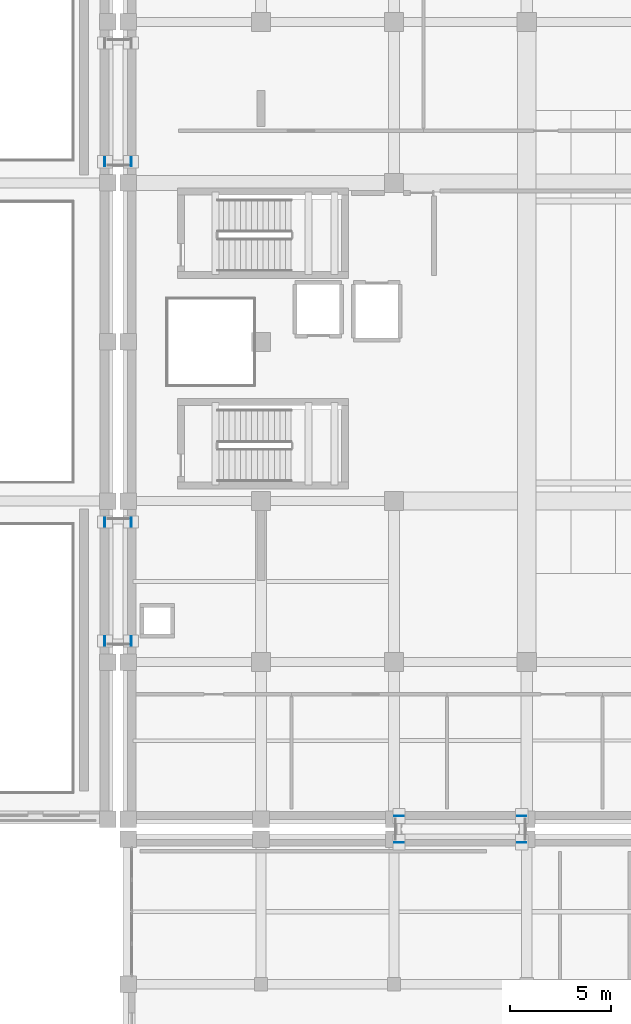
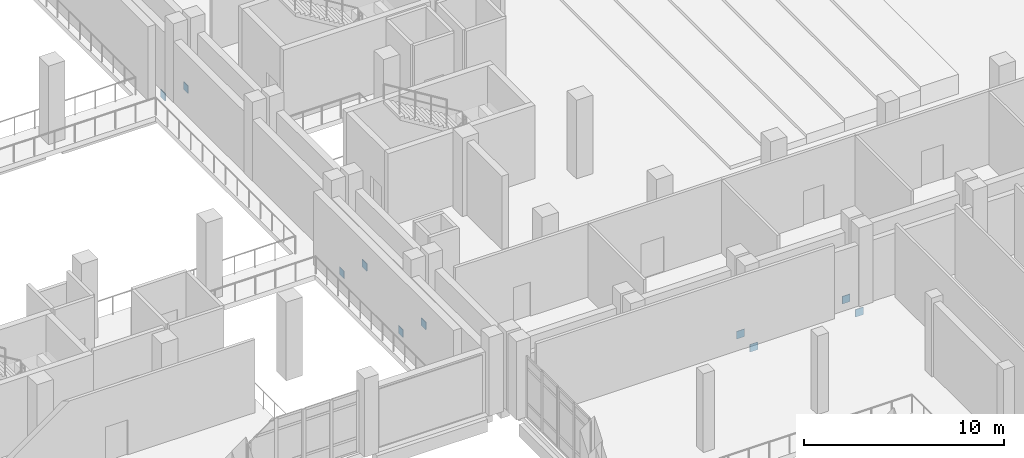
# One storey, part 76 of 90: 10 discrete accessories.
"""IFC4 building model written with IfcOpenShell, lengths in metres."""

from ifc_helpers import new_model, si_unit, direction, frame, origin, origin_2d, place, context, subcontext, project, spatial, rectangle, extrude, material, material_profile, profile_set, type_object, element, save


model = new_model("IFC4")

# Units and contexts
model_context = context("Model", 3, precision=1e-05, world=origin(), true_north=direction((0.0, 1.0)))
body_context = subcontext(model_context, "Body", "Model", "MODEL_VIEW")
ifc_project = project(units=[si_unit("LENGTHUNIT", "METRE"), si_unit("AREAUNIT", "SQUARE_METRE"), si_unit("VOLUMEUNIT", "CUBIC_METRE"), si_unit("PLANEANGLEUNIT", "RADIAN"), si_unit("MASSUNIT", "GRAM", prefix="KILO")], contexts=[model_context])

# Site, building, storey
site_placement = place(None, origin())
site = spatial("IfcSite", under=ifc_project, at=site_placement, CompositionType="ELEMENT")
building_placement = place(site_placement, origin())
building = spatial("IfcBuilding", under=site, at=building_placement, Name="Kelarvand Opera House", CompositionType="ELEMENT")
storey_placement = place(building_placement, frame((0.0, 0.0, 5.39990234375)))
storey = spatial("IfcBuildingStorey", under=building, at=storey_placement, Name="L01", CompositionType="ELEMENT", Elevation=5.39990234375)

# Discrete accessories
ifc_material = material(Name="Steel S355", Category="steel")
ifc_material_profile = material_profile(ifc_material, rectangle(XDim=0.4599609375, YDim=0.4599609375, at=origin_2d()), Name="Welded Steel Hollow End-Cap Plate 460x460x24", Category="steel")
ifc_profile_set = profile_set([ifc_material_profile], Name="Steel S355")
discrete_accessory_type = type_object("IfcDiscreteAccessoryType", Name="Welded Steel Hollow End-Cap Plate 460x460x24", PredefinedType="SHOE", material=ifc_profile_set)
for number, where, z_axis, x_axis, name in (
    (1, (87.85791015625, 71.449951171875, -0.52001953125), (-1.0, 0.0, 0.0), (0.0, -1.0, 0.0), "Hollow Section Welded End Cap 37"),
    (2, (89.14208984375, 71.449951171875, -0.52001953125), (1.0, 0.0, 0.0), (0.0, 1.0, 0.0), "Hollow Section Welded End Cap 38"),
    (3, (87.85791015625, 47.64990234375, -0.52001953125), (-1.0, 0.0, 0.0), (0.0, -1.0, 0.0), "Hollow Section Welded End Cap 61"),
    (4, (89.14208984375, 47.64990234375, -0.52001953125), (1.0, 0.0, 0.0), (0.0, 1.0, 0.0), "Hollow Section Welded End Cap 62"),
    (5, (87.85791015625, 53.550048828125, -0.52001953125), (-1.0, 0.0, 0.0), (0.0, -1.0, 0.0), "Hollow Section Welded End Cap 63"),
    (6, (89.14208984375, 53.550048828125, -0.52001953125), (1.0, 0.0, 0.0), (0.0, 1.0, 0.0), "Hollow Section Welded End Cap 64"),
    (7, (102.449951171875, 37.657958984375, -0.52001953125), (0.0, -1.0, 0.0), (1.0, 0.0, 0.0), "Hollow Section Welded End Cap 97"),
):
    element("IfcDiscreteAccessory", number, at=place(storey_placement, frame(where, z_axis=z_axis, x_axis=x_axis)), inside=storey, type_object=discrete_accessory_type, Name=name, PredefinedType="SHOE", context=body_context, shape_type="SweptSolid", body=[
        extrude(rectangle(XDim=0.4599609375, YDim=0.4599609375, at=origin_2d()), origin(), (0.0, 0.0, 1.0), 0.035888671875),
    ])
discrete_accessory_1_placement = place(storey_placement, frame((102.449951171875, 38.94189453125, -0.52001953125), z_axis=(0.0, 1.0, 0.0), x_axis=(-1.0, 0.0, 0.0)))
element("IfcDiscreteAccessory", 8, at=discrete_accessory_1_placement, inside=storey, type_object=discrete_accessory_type, Name="Hollow Section Welded End Cap 98", PredefinedType="SHOE", context=body_context, shape_type="SweptSolid", body=[
    extrude(rectangle(XDim=0.4599609375, YDim=0.4599609375, at=origin_2d()), origin(), (0.0, 0.0, 1.0), 0.0361328125),
])
discrete_accessory_2_placement = place(storey_placement, frame((108.550048828125, 37.657958984375, -0.52001953125), z_axis=(0.0, -1.0, 0.0), x_axis=(1.0, 0.0, 0.0)))
element("IfcDiscreteAccessory", 9, at=discrete_accessory_2_placement, inside=storey, type_object=discrete_accessory_type, Name="Hollow Section Welded End Cap 99", PredefinedType="SHOE", context=body_context, shape_type="SweptSolid", body=[
    extrude(rectangle(XDim=0.4599609375, YDim=0.4599609375, at=origin_2d()), origin(), (0.0, 0.0, 1.0), 0.035888671875),
])
discrete_accessory_3_placement = place(storey_placement, frame((108.550048828125, 38.94189453125, -0.52001953125), z_axis=(0.0, 1.0, 0.0), x_axis=(-1.0, 0.0, 0.0)))
element("IfcDiscreteAccessory", 10, at=discrete_accessory_3_placement, inside=storey, type_object=discrete_accessory_type, Name="Hollow Section Welded End Cap 100", PredefinedType="SHOE", context=body_context, shape_type="SweptSolid", body=[
    extrude(rectangle(XDim=0.4599609375, YDim=0.4599609375, at=origin_2d()), origin(), (0.0, 0.0, 1.0), 0.0361328125),
])

save(model, "model.ifc")
